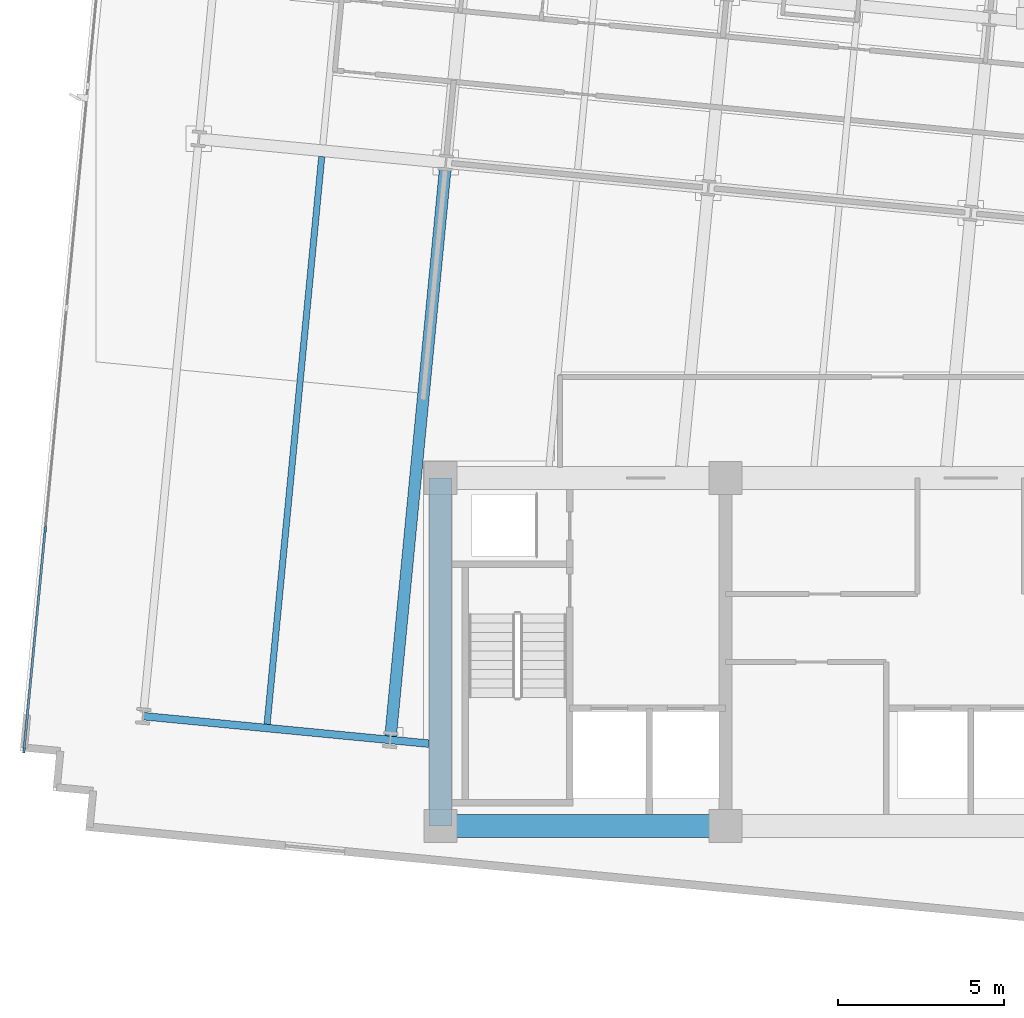
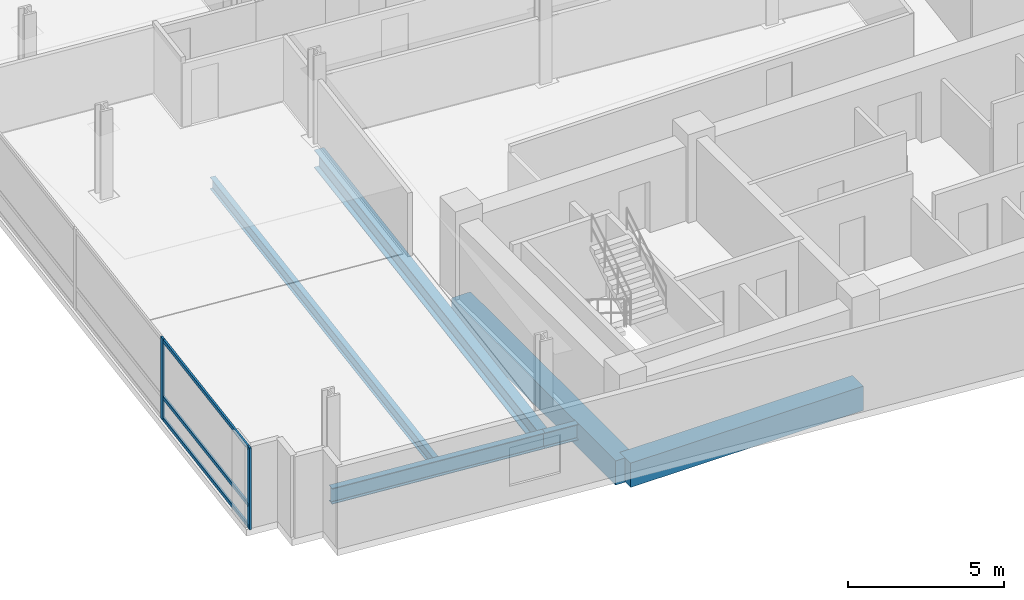
# One storey, part 2 of 17: 6 beams, 5 members, 1 element without a shape of its own.
"""IFC4 building model written with IfcOpenShell, lengths in metres."""

from ifc_helpers import new_model, si_unit, direction, frame, origin, origin_2d, place, context, subcontext, project, spatial, rectangle, i_section, extrude, material, material_profile, profile_set, type_object, element, aggregate, save


model = new_model("IFC4")

# Units and contexts
model_context = context("Model", 3, precision=1e-05, world=origin(), true_north=direction((0.0, 1.0)))
body_context = subcontext(model_context, "Body", "Model", "MODEL_VIEW")
ifc_project = project(units=[si_unit("LENGTHUNIT", "METRE"), si_unit("AREAUNIT", "SQUARE_METRE"), si_unit("VOLUMEUNIT", "CUBIC_METRE"), si_unit("PLANEANGLEUNIT", "RADIAN"), si_unit("MASSUNIT", "GRAM", prefix="KILO")], contexts=[model_context])

# Site, building, storey
site_placement = place(None, origin())
site = spatial("IfcSite", under=ifc_project, at=site_placement, CompositionType="ELEMENT")
building_placement = place(site_placement, origin())
building = spatial("IfcBuilding", under=site, at=building_placement, Name="Solmavex Isthmus Hotel", CompositionType="ELEMENT")
storey_placement = place(building_placement, frame((0.0, 0.0, 139.35009765625)))
storey = spatial("IfcBuildingStorey", under=building, at=storey_placement, Name="L37", CompositionType="ELEMENT", Elevation=139.35009765625)

# Beams
ifc_material_1 = material(Name="Steel ASTM A992 Grade 50", Category="steel")
ifc_material_profile_1 = material_profile(ifc_material_1, i_section(OverallWidth=0.354736328125, OverallDepth=0.695556640625, WebThickness=0.015380859375, FlangeThickness=0.02490234375, FilletRadius=0.017822265625, at=origin_2d()), Name="W27X146")
ifc_profile_set_1 = profile_set([ifc_material_profile_1], Name="Steel ASTM A992 Grade 50")
beam_type_1 = type_object("IfcBeamType", Name="BM-BG-W27X146", PredefinedType="BEAM", material=ifc_profile_set_1)
beam_1_placement = place(storey_placement, frame((-17.503662109375, -10.289306640625, -0.60791015625), z_axis=(0.095840821687, 0.99539667314, 0.0), x_axis=(-0.99539667314, 0.095840821687, 0.0)))
element("IfcBeam", 1, at=beam_1_placement, inside=storey, type_object=beam_type_1, Name="Floor Beam L37-VG24", PredefinedType="BEAM", context=body_context, shape_type="SweptSolid", body=[
    extrude(i_section(OverallWidth=0.354736328125, OverallDepth=0.695556640625, WebThickness=0.015380859375, FlangeThickness=0.02490234375, FilletRadius=0.017822265625, at=origin_2d()), origin(), (0.0, 0.0, 1.0), 17.207275390625),
])
ifc_material_profile_2 = material_profile(ifc_material_1, i_section(OverallWidth=0.1904296875, OverallDepth=0.456787109375, WebThickness=0.009033203125, FlangeThickness=0.014404296875, FilletRadius=0.0126953125, at=origin_2d()), Name="W18X50")
ifc_profile_set_2 = profile_set([ifc_material_profile_2], Name="Steel ASTM A992 Grade 50")
beam_type_2 = type_object("IfcBeamType", Name="BM-BJ-W18X50", PredefinedType="JOIST", material=ifc_profile_set_2)
beam_2_placement = place(storey_placement, frame((-21.23046875, -9.930419921875, -0.488525390625), z_axis=(0.095840821687, 0.99539667314, 0.0), x_axis=(-0.99539667314, 0.095840821687, 0.0)))
element("IfcBeam", 2, at=beam_2_placement, inside=storey, type_object=beam_type_2, Name="Secondary Floor Joist L37-J01", PredefinedType="JOIST", context=body_context, shape_type="SweptSolid", body=[
    extrude(i_section(OverallWidth=0.1904296875, OverallDepth=0.456787109375, WebThickness=0.009033203125, FlangeThickness=0.014404296875, FilletRadius=0.0126953125, at=origin_2d()), origin(), (0.0, 0.0, 1.0), 17.207275390625),
])
ifc_material_2 = material(Name="Concrete C60/75", Category="concrete")
ifc_material_profile_3 = material_profile(ifc_material_2, rectangle(XDim=0.699951171875, YDim=0.949951171875, at=origin_2d()), Name="RC700X950")
ifc_profile_set_3 = profile_set([ifc_material_profile_3], Name="Concrete C60/75")
beam_type_3 = type_object("IfcBeamType", Name="BM-CB-700X950", PredefinedType="BEAM", material=ifc_profile_set_3)
beam_3_placement = place(storey_placement, frame((-16.0, -13.0, -0.735107421875), z_axis=(1.0, 0.0, 0.0), x_axis=(0.0, 1.0, 0.0)))
element("IfcBeam", 3, at=beam_3_placement, inside=storey, type_object=beam_type_3, Name="Core Coupling Beam L37-CB1", PredefinedType="BEAM", context=body_context, shape_type="SweptSolid", body=[
    extrude(rectangle(XDim=0.699951171875, YDim=0.949951171875, at=origin_2d()), origin(), (0.0, 0.0, 1.0), 8.60009765625),
])
beam_4_placement = place(storey_placement, frame((-16.0, -13.0, -0.735107421875), z_axis=(0.0, 1.0, 0.0), x_axis=(-1.0, 0.0, 0.0)))
element("IfcBeam", 4, at=beam_4_placement, inside=storey, type_object=beam_type_3, Name="Core Coupling Beam L37-CB7", PredefinedType="BEAM", context=body_context, shape_type="SweptSolid", body=[
    extrude(rectangle(XDim=0.699951171875, YDim=0.949951171875, at=origin_2d()), origin(), (0.0, 0.0, 1.0), 10.5),
])
ifc_material_profile_4 = material_profile(ifc_material_1, i_section(OverallWidth=0.230224609375, OverallDepth=0.617431640625, WebThickness=0.01318359375, FlangeThickness=0.022216796875, FilletRadius=0.01513671875, at=origin_2d()), Name="W24X94")
ifc_profile_set_4 = profile_set([ifc_material_profile_4], Name="Steel ASTM A992 Grade 50")
beam_type_4 = type_object("IfcBeamType", Name="BM-SP-W24X94", PredefinedType="SPANDREL", material=ifc_profile_set_4)
beam_5_placement = place(storey_placement, frame((-24.96826171875, -9.686279296875, -0.56884765625), z_axis=(0.995395279593, -0.095855293875, 0.0), x_axis=(0.095855293875, 0.995395279593, 0.0)))
element("IfcBeam", 5, at=beam_5_placement, inside=storey, type_object=beam_type_4, Name="Floor Girder L37-UG01", PredefinedType="SPANDREL", context=body_context, shape_type="SweptSolid", body=[
    extrude(i_section(OverallWidth=0.230224609375, OverallDepth=0.617431640625, WebThickness=0.01318359375, FlangeThickness=0.022216796875, FilletRadius=0.01513671875, at=origin_2d()), origin(), (0.0, 0.0, 1.0), 7.488037109375),
])
beam_6_placement = place(storey_placement, frame((-17.5146484375, -10.404052734375, -0.56884765625), z_axis=(0.995402144456, -0.095783979938, 0.0), x_axis=(0.095783979938, 0.995402144456, 0.0)))
element("IfcBeam", 6, at=beam_6_placement, inside=storey, type_object=beam_type_4, Name="Floor Girder L37-UG02", PredefinedType="SPANDREL", context=body_context, shape_type="SweptSolid", body=[
    extrude(i_section(OverallWidth=0.230224609375, OverallDepth=0.617431640625, WebThickness=0.01318359375, FlangeThickness=0.022216796875, FilletRadius=0.01513671875, at=origin_2d()), origin(), (0.0, 0.0, 1.0), 1.169921875),
])

# Curtain wall, members
ifc_material_3 = material(Name="Aluminium alloy 6063-T6", Category="aluminium")
curtain_wall_type = type_object("IfcCurtainWallType", Name="CW-SYS-03", PredefinedType="NOTDEFINED", material=ifc_material_3)
curtain_wall_placement = place(storey_placement, origin())
curtain_wall = element("IfcCurtainWall", 7, at=curtain_wall_placement, inside=storey, type_object=curtain_wall_type, Name="Stick Curtain Wall CWL-L37-W1", PredefinedType="NOTDEFINED")
ifc_material_profile_5 = material_profile(ifc_material_3, rectangle(XDim=0.070068359375, YDim=0.179931640625, at=origin_2d()), Name="CWM-70X180")
ifc_profile_set_5 = profile_set([ifc_material_profile_5], Name="Aluminium alloy 6063-T6")
member_type_1 = type_object("IfcMemberType", Name="CW-SYS-03-MUL", PredefinedType="MULLION", material=ifc_profile_set_5)
member_1_placement = place(storey_placement, frame((-28.56298828125, -10.71142578125, 0.0), z_axis=(0.0, 0.0, 1.0), x_axis=(-0.995396190038, 0.09584583902, 0.0)))
member_1 = element("IfcMember", 8, at=member_1_placement, type_object=member_type_1, Name="CW-03 mullion 1", PredefinedType="MULLION", context=body_context, shape_type="SweptSolid", body=[
    extrude(rectangle(XDim=0.070068359375, YDim=0.179931640625, at=origin_2d()), origin(), (0.0, 0.0, 1.0), 3.18994140625),
])
member_2_placement = place(storey_placement, frame((-27.92236328125, -4.057373046875, 0.0), z_axis=(0.0, 0.0, 1.0), x_axis=(-0.995396190038, 0.09584583902, 0.0)))
member_2 = element("IfcMember", 9, at=member_2_placement, type_object=member_type_1, Name="CW-03 mullion 2", PredefinedType="MULLION", context=body_context, shape_type="SweptSolid", body=[
    extrude(rectangle(XDim=0.070068359375, YDim=0.179931640625, at=origin_2d()), origin(), (0.0, 0.0, 1.0), 3.18994140625),
])
ifc_material_profile_6 = material_profile(ifc_material_3, rectangle(XDim=0.070068359375, YDim=0.139892578125, at=origin_2d()), Name="CWT-70X140")
ifc_profile_set_6 = profile_set([ifc_material_profile_6], Name="Aluminium alloy 6063-T6")
member_type_2 = type_object("IfcMemberType", Name="CW-SYS-03-TRN", PredefinedType="USERDEFINED", material=ifc_profile_set_6)
member_3_placement = place(storey_placement, frame((-28.559814453125, -10.6767578125, 0.06982421875), z_axis=(0.095845316679, 0.995396240334, 0.0), x_axis=(-0.995396240334, 0.095845316679, 0.0)))
member_3 = element("IfcMember", 10, at=member_3_placement, type_object=member_type_2, Name="CW-03 transom 1.1", ObjectType="TRANSOM", PredefinedType="USERDEFINED", context=body_context, shape_type="SweptSolid", body=[
    extrude(rectangle(XDim=0.070068359375, YDim=0.139892578125, at=origin_2d()), origin(), (0.0, 0.0, 1.0), 6.615234375),
])
member_4_placement = place(storey_placement, frame((-28.559814453125, -10.6767578125, 0.89990234375), z_axis=(0.095845316679, 0.995396240334, 0.0), x_axis=(-0.995396240334, 0.095845316679, 0.0)))
member_4 = element("IfcMember", 11, at=member_4_placement, type_object=member_type_2, Name="CW-03 transom 1.2", ObjectType="TRANSOM", PredefinedType="USERDEFINED", context=body_context, shape_type="SweptSolid", body=[
    extrude(rectangle(XDim=0.070068359375, YDim=0.139892578125, at=origin_2d()), origin(), (0.0, 0.0, 1.0), 6.615234375),
])
member_5_placement = place(storey_placement, frame((-28.559814453125, -10.6767578125, 3.119873046875), z_axis=(0.095845316679, 0.995396240334, 0.0), x_axis=(-0.995396240334, 0.095845316679, 0.0)))
member_5 = element("IfcMember", 12, at=member_5_placement, type_object=member_type_2, Name="CW-03 transom 1.3", ObjectType="TRANSOM", PredefinedType="USERDEFINED", context=body_context, shape_type="SweptSolid", body=[
    extrude(rectangle(XDim=0.070068359375, YDim=0.139892578125, at=origin_2d()), origin(), (0.0, 0.0, 1.0), 6.615234375),
])
aggregate(curtain_wall, [member_1, member_2, member_3, member_4, member_5])

save(model, "model.ifc")
